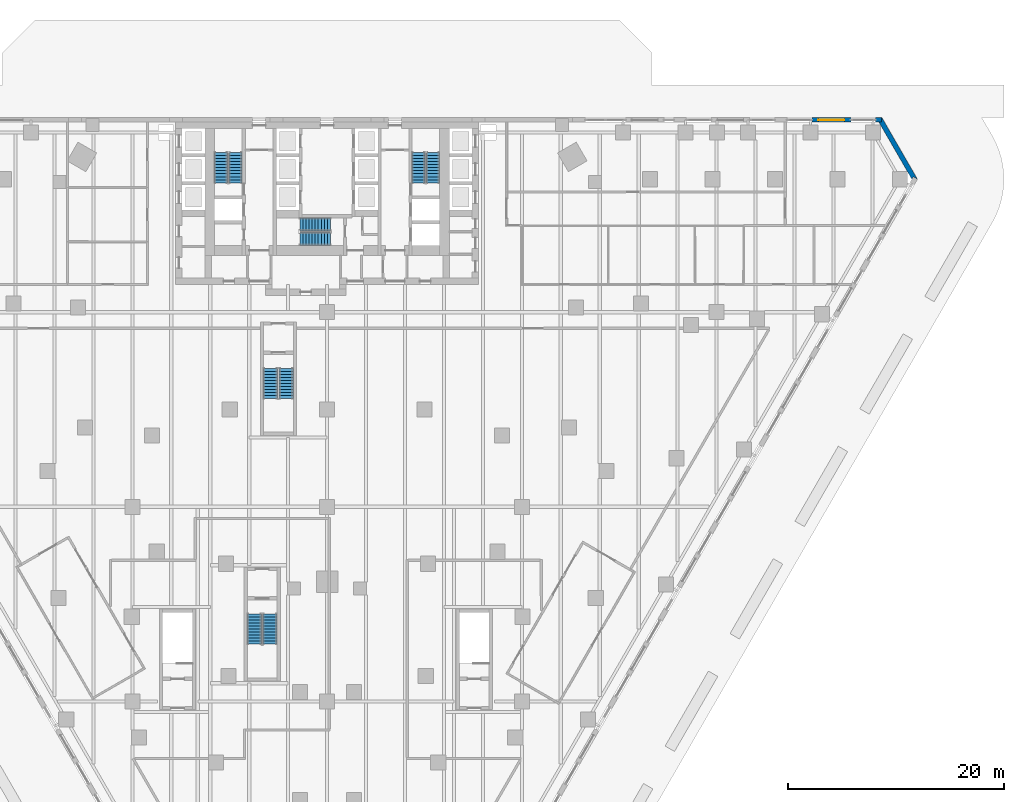
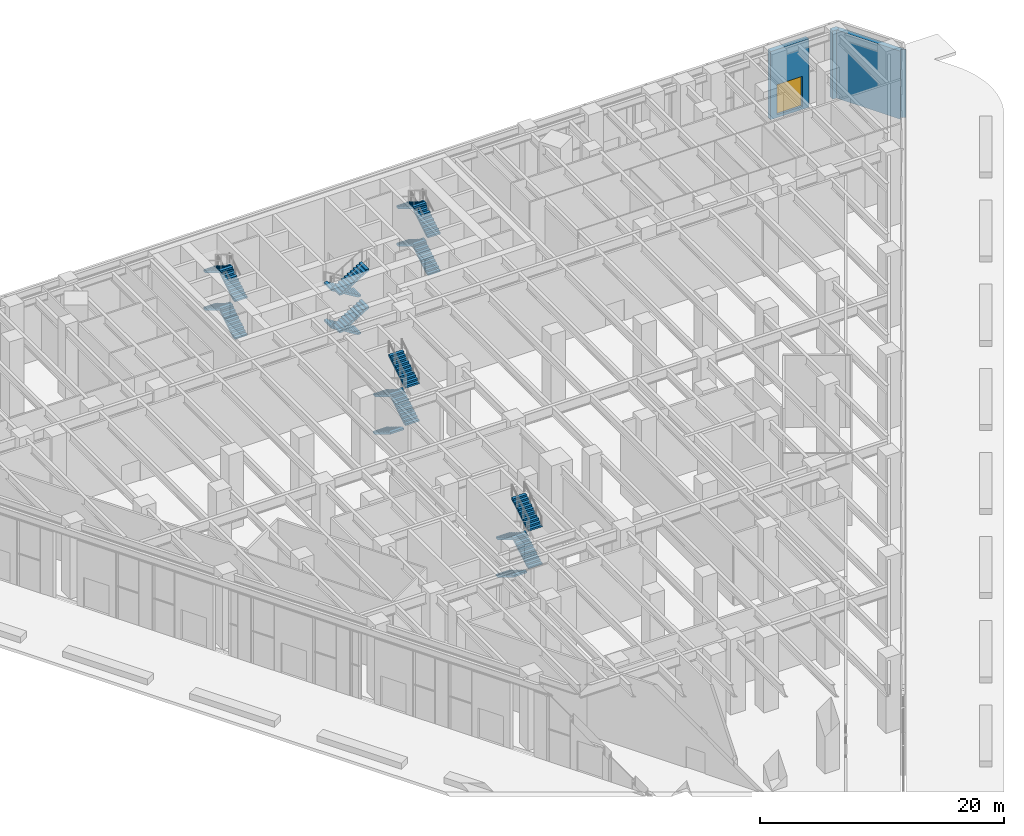
# One storey, part 33 of 37: 20 stair flights, 3 walls, 1 door, 1 opening, 5 elements without a shape of their own.
"""IFC4 building model written with IfcOpenShell, lengths in metres."""

from ifc_helpers import new_model, si_unit, direction, frame, frame_2d, origin, place, context, subcontext, project, spatial, polyline, rectangle, outline, extrude, material, layer, layer_set, type_object, element, fill, aggregate, save


model = new_model("IFC4")

# Units and contexts
model_context = context("Model", 3, precision=1e-05, world=origin(), true_north=direction((0.0, 1.0)))
body_context = subcontext(model_context, "Body", "Model", "MODEL_VIEW")
ifc_project = project(units=[si_unit("LENGTHUNIT", "METRE"), si_unit("AREAUNIT", "SQUARE_METRE"), si_unit("VOLUMEUNIT", "CUBIC_METRE"), si_unit("PLANEANGLEUNIT", "RADIAN"), si_unit("MASSUNIT", "GRAM", prefix="KILO")], contexts=[model_context])

# Site, building, storey
site_placement = place(None, origin())
site = spatial("IfcSite", under=ifc_project, at=site_placement, CompositionType="ELEMENT")
building_placement = place(site_placement, origin())
building = spatial("IfcBuilding", under=site, at=building_placement, Name="Aloe Facet Convention Tower", CompositionType="ELEMENT")
storey_placement = place(building_placement, origin())
storey = spatial("IfcBuildingStorey", under=building, at=storey_placement, Name="L00", CompositionType="ELEMENT", Elevation=0.0)

# Walls
ifc_material_1 = material(Name="Precast concrete C40/50", Category="concrete")
ifc_layer_1 = layer(ifc_material_1, 0.449951171875)
ifc_layer_set_1 = layer_set([ifc_layer_1], Name="EV-WALL-PIER")
wall_type_1 = type_object("IfcWallType", Name="EV-WALL-PIER", PredefinedType="SOLIDWALL", material=ifc_layer_set_1)
wall_1_placement = place(storey_placement, frame((0.0, 0.0, -0.300048828125)))
element("IfcWall", 1, at=wall_1_placement, inside=storey, type_object=wall_type_1, Name="EP-L00-C", PredefinedType="SOLIDWALL", context=body_context, shape_type="SweptSolid", body=[
    extrude(outline(polyline([(134.567626953125, 129.2841796875), (134.177734375, 129.50927734375), (134.0478515625, 129.2841796875), (131.0078125, 134.550048828125), (131.267578125, 134.550048828125), (131.267578125, 135.0), (134.567626953125, 129.2841796875)])), origin(), (0.0, 0.0, 1.0), 6.8125),
])
ifc_material_2 = material(Name="Precast concrete C40/50", Category="concrete")
ifc_layer_2 = layer(ifc_material_2, 0.449951171875)
ifc_layer_set_2 = layer_set([ifc_layer_2], Name="EV-WALL-STONE")
wall_type_2 = type_object("IfcWallType", Name="EV-WALL-STONE", PredefinedType="SOLIDWALL", material=ifc_layer_set_2)
wall_2_placement = place(storey_placement, frame((131.267578125, 134.77490234375, -0.300048828125), z_axis=(0.0, 0.0, 1.0), x_axis=(-1.0, 0.0, 0.0)))
element("IfcWall", 2, at=wall_2_placement, inside=storey, type_object=wall_type_2, Name="PW-L00-N01", PredefinedType="SOLIDWALL", context=body_context, shape_type="SweptSolid", body=[
    extrude(rectangle(XDim=0.60009765625, YDim=0.449951171875, at=frame_2d((0.300048828125, 0.0))), origin(), (0.0, 0.0, 1.0), 6.8125),
])

# Wall, opening, door
wall_3_placement = place(storey_placement, frame((128.40673828125, 134.77490234375, -0.300048828125), z_axis=(0.0, 0.0, 1.0), x_axis=(-1.0, 0.0, 0.0)))
wall_3 = element("IfcWall", 3, at=wall_3_placement, inside=storey, type_object=wall_type_2, Name="PW-L00-N02", PredefinedType="SOLIDWALL", context=body_context, shape_type="SweptSolid", body=[
    extrude(rectangle(XDim=3.599853515625, YDim=0.449951171875, at=frame_2d((1.7998046875, 0.0))), origin(), (0.0, 0.0, 1.0), 6.8125),
])
opening_placement = place(wall_3_placement, frame((0.60009765625, 0.0, 0.300048828125)))
opening = element("IfcOpeningElement", 4, at=opening_placement, cuts=wall_3, Name="Opening D-L00-N02", PredefinedType="OPENING", context=body_context, shape_type="SweptSolid", body=[
    extrude(rectangle(XDim=2.39990234375, YDim=3.0, at=frame_2d((1.199951171875, 1.5))), frame((0.0, 0.23486328125, 0.0), z_axis=(0.0, -1.0, 0.0), x_axis=(1.0, 0.0, 0.0)), (0.0, 0.0, 1.0), 0.469970703125),
])
ifc_material_3 = material(Name="Aluminium frame, clear double glazing", Category="aluminium")
door_type = type_object("IfcDoorType", Name="EV-DOOR-ENTRY", OperationType="DOUBLE_DOOR_SINGLE_SWING", PredefinedType="DOOR", material=ifc_material_3)
door_placement = place(opening_placement, origin())
door = element("IfcDoor", 5, at=door_placement, inside=storey, type_object=door_type, Name="D-L00-N02", OperationType="DOUBLE_DOOR_SINGLE_SWING", OverallHeight=3.0, OverallWidth=2.39990234375, PredefinedType="DOOR", context=body_context, shape_type="SweptSolid", body=[
    extrude(rectangle(XDim=2.39990234375, YDim=3.0, at=frame_2d((1.199951171875, 1.5))), frame((0.0, 0.02490234375, 0.0), z_axis=(0.0, -1.0, 0.0), x_axis=(1.0, 0.0, 0.0)), (0.0, 0.0, 1.0), 0.050048828125),
])
fill(opening, door)

# Stair, stair flights
ifc_material_4 = material(Name="Concrete C50/60", Category="concrete")
stair_type_1 = type_object("IfcStairType", Name="CR-ST-44R", PredefinedType="HALF_TURN_STAIR", material=ifc_material_4)
stair_1_placement = place(storey_placement, origin())
stair_1 = element("IfcStair", 6, at=stair_1_placement, inside=storey, type_object=stair_type_1, Name="L00 Protected exit stair ST1", PredefinedType="HALF_TURN_STAIR")
ifc_material_5 = material(Name="Concrete C50/60", Category="concrete")
stair_flight_type_1 = type_object("IfcStairFlightType", Name="CR-SFL-44R", PredefinedType="STRAIGHT", material=ifc_material_5)
stair_flight_1_placement = place(storey_placement, frame((71.550048828125, 128.949951171875, 0.0), z_axis=(0.0, 0.0, 1.0), x_axis=(0.0, 1.0, 0.0)))
stair_flight_1 = element("IfcStairFlight", 7, at=stair_flight_1_placement, type_object=stair_flight_type_1, Name="ST1 flight 1", NumberOfRisers=11, NumberOfTreads=10, PredefinedType="STRAIGHT", RiserHeight=0.170454545, TreadLength=0.28, context=body_context, shape_type="SweptSolid", body=[
    extrude(outline(polyline([(0.0, 0.0), (0.0, 0.17041015625), (0.280029296875, 0.17041015625), (0.280029296875, 0.3408203125), (0.56005859375, 0.3408203125), (0.56005859375, 0.511474609375), (0.840087890625, 0.511474609375), (0.840087890625, 0.681884765625), (1.1201171875, 0.681884765625), (1.1201171875, 0.852294921875), (1.39990234375, 0.852294921875), (1.39990234375, 1.022705078125), (1.679931640625, 1.022705078125), (1.679931640625, 1.193115234375), (1.9599609375, 1.193115234375), (1.9599609375, 1.363525390625), (2.239990234375, 1.363525390625), (2.239990234375, 1.5341796875), (2.52001953125, 1.5341796875), (2.52001953125, 1.70458984375), (2.800048828125, 1.70458984375), (2.800048828125, 1.875), (2.800048828125, 1.529052734375), (0.288330078125, 0.0), (0.0, 0.0)])), frame((0.0, 0.60009765625, 0.0), z_axis=(0.0, -1.0, 0.0), x_axis=(1.0, 0.0, 0.0)), (0.0, 0.0, 1.0), 1.199951171875),
])
stair_flight_2_placement = place(storey_placement, frame((70.199951171875, 131.75, 1.875), z_axis=(0.0, 0.0, 1.0), x_axis=(0.0, -1.0, 0.0)))
stair_flight_2 = element("IfcStairFlight", 8, at=stair_flight_2_placement, type_object=stair_flight_type_1, Name="ST1 flight 2", NumberOfRisers=11, NumberOfTreads=10, PredefinedType="STRAIGHT", RiserHeight=0.170454545, TreadLength=0.28, context=body_context, shape_type="SweptSolid", body=[
    extrude(outline(polyline([(0.0, 0.0), (0.0, 0.17041015625), (0.280029296875, 0.17041015625), (0.280029296875, 0.3408203125), (0.56005859375, 0.3408203125), (0.56005859375, 0.511474609375), (0.840087890625, 0.511474609375), (0.840087890625, 0.681884765625), (1.1201171875, 0.681884765625), (1.1201171875, 0.852294921875), (1.39990234375, 0.852294921875), (1.39990234375, 1.022705078125), (1.679931640625, 1.022705078125), (1.679931640625, 1.193115234375), (1.9599609375, 1.193115234375), (1.9599609375, 1.363525390625), (2.239990234375, 1.363525390625), (2.239990234375, 1.5341796875), (2.52001953125, 1.5341796875), (2.52001953125, 1.70458984375), (2.800048828125, 1.70458984375), (2.800048828125, 1.875), (2.800048828125, 1.529052734375), (0.288330078125, 0.0), (0.0, 0.0)])), frame((0.0, 0.60009765625, 0.0), z_axis=(0.0, -1.0, 0.0), x_axis=(1.0, 0.0, 0.0)), (0.0, 0.0, 1.0), 1.199951171875),
])
stair_flight_3_placement = place(storey_placement, frame((71.550048828125, 128.949951171875, 3.75), z_axis=(0.0, 0.0, 1.0), x_axis=(0.0, 1.0, 0.0)))
stair_flight_3 = element("IfcStairFlight", 9, at=stair_flight_3_placement, type_object=stair_flight_type_1, Name="ST1 flight 3", NumberOfRisers=11, NumberOfTreads=10, PredefinedType="STRAIGHT", RiserHeight=0.170454545, TreadLength=0.28, context=body_context, shape_type="SweptSolid", body=[
    extrude(outline(polyline([(0.0, 0.0), (0.0, 0.17041015625), (0.280029296875, 0.17041015625), (0.280029296875, 0.3408203125), (0.56005859375, 0.3408203125), (0.56005859375, 0.511474609375), (0.840087890625, 0.511474609375), (0.840087890625, 0.681884765625), (1.1201171875, 0.681884765625), (1.1201171875, 0.852294921875), (1.39990234375, 0.852294921875), (1.39990234375, 1.022705078125), (1.679931640625, 1.022705078125), (1.679931640625, 1.193115234375), (1.9599609375, 1.193115234375), (1.9599609375, 1.363525390625), (2.239990234375, 1.363525390625), (2.239990234375, 1.5341796875), (2.52001953125, 1.5341796875), (2.52001953125, 1.70458984375), (2.800048828125, 1.70458984375), (2.800048828125, 1.875), (2.800048828125, 1.529052734375), (0.288330078125, 0.0), (0.0, 0.0)])), frame((0.0, 0.60009765625, 0.0), z_axis=(0.0, -1.0, 0.0), x_axis=(1.0, 0.0, 0.0)), (0.0, 0.0, 1.0), 1.199951171875),
])
stair_flight_4_placement = place(storey_placement, frame((70.199951171875, 131.75, 5.625), z_axis=(0.0, 0.0, 1.0), x_axis=(0.0, -1.0, 0.0)))
stair_flight_4 = element("IfcStairFlight", 10, at=stair_flight_4_placement, type_object=stair_flight_type_1, Name="ST1 flight 4", NumberOfRisers=11, NumberOfTreads=10, PredefinedType="STRAIGHT", RiserHeight=0.170454545, TreadLength=0.28, context=body_context, shape_type="SweptSolid", body=[
    extrude(outline(polyline([(0.0, 0.0), (0.0, 0.17041015625), (0.280029296875, 0.17041015625), (0.280029296875, 0.3408203125), (0.56005859375, 0.3408203125), (0.56005859375, 0.511474609375), (0.840087890625, 0.511474609375), (0.840087890625, 0.681884765625), (1.1201171875, 0.681884765625), (1.1201171875, 0.852294921875), (1.39990234375, 0.852294921875), (1.39990234375, 1.022705078125), (1.679931640625, 1.022705078125), (1.679931640625, 1.193115234375), (1.9599609375, 1.193115234375), (1.9599609375, 1.363525390625), (2.239990234375, 1.363525390625), (2.239990234375, 1.5341796875), (2.52001953125, 1.5341796875), (2.52001953125, 1.70458984375), (2.800048828125, 1.70458984375), (2.800048828125, 1.875), (2.800048828125, 1.529052734375), (0.288330078125, 0.0), (0.0, 0.0)])), frame((0.0, 0.60009765625, 0.0), z_axis=(0.0, -1.0, 0.0), x_axis=(1.0, 0.0, 0.0)), (0.0, 0.0, 1.0), 1.199951171875),
])
aggregate(stair_1, [stair_flight_1, stair_flight_2, stair_flight_3, stair_flight_4])

stair_2_placement = place(storey_placement, origin())
stair_2 = element("IfcStair", 11, at=stair_2_placement, inside=storey, type_object=stair_type_1, Name="L00 Protected exit stair ST2", PredefinedType="HALF_TURN_STAIR")
stair_flight_5_placement = place(storey_placement, frame((89.800048828125, 128.949951171875, 0.0), z_axis=(0.0, 0.0, 1.0), x_axis=(0.0, 1.0, 0.0)))
stair_flight_5 = element("IfcStairFlight", 12, at=stair_flight_5_placement, type_object=stair_flight_type_1, Name="ST2 flight 1", NumberOfRisers=11, NumberOfTreads=10, PredefinedType="STRAIGHT", RiserHeight=0.170454545, TreadLength=0.28, context=body_context, shape_type="SweptSolid", body=[
    extrude(outline(polyline([(0.0, 0.0), (0.0, 0.17041015625), (0.280029296875, 0.17041015625), (0.280029296875, 0.3408203125), (0.56005859375, 0.3408203125), (0.56005859375, 0.511474609375), (0.840087890625, 0.511474609375), (0.840087890625, 0.681884765625), (1.1201171875, 0.681884765625), (1.1201171875, 0.852294921875), (1.39990234375, 0.852294921875), (1.39990234375, 1.022705078125), (1.679931640625, 1.022705078125), (1.679931640625, 1.193115234375), (1.9599609375, 1.193115234375), (1.9599609375, 1.363525390625), (2.239990234375, 1.363525390625), (2.239990234375, 1.5341796875), (2.52001953125, 1.5341796875), (2.52001953125, 1.70458984375), (2.800048828125, 1.70458984375), (2.800048828125, 1.875), (2.800048828125, 1.529052734375), (0.288330078125, 0.0), (0.0, 0.0)])), frame((0.0, 0.60009765625, 0.0), z_axis=(0.0, -1.0, 0.0), x_axis=(1.0, 0.0, 0.0)), (0.0, 0.0, 1.0), 1.199951171875),
])
stair_flight_6_placement = place(storey_placement, frame((88.449951171875, 131.75, 1.875), z_axis=(0.0, 0.0, 1.0), x_axis=(0.0, -1.0, 0.0)))
stair_flight_6 = element("IfcStairFlight", 13, at=stair_flight_6_placement, type_object=stair_flight_type_1, Name="ST2 flight 2", NumberOfRisers=11, NumberOfTreads=10, PredefinedType="STRAIGHT", RiserHeight=0.170454545, TreadLength=0.28, context=body_context, shape_type="SweptSolid", body=[
    extrude(outline(polyline([(0.0, 0.0), (0.0, 0.17041015625), (0.280029296875, 0.17041015625), (0.280029296875, 0.3408203125), (0.56005859375, 0.3408203125), (0.56005859375, 0.511474609375), (0.840087890625, 0.511474609375), (0.840087890625, 0.681884765625), (1.1201171875, 0.681884765625), (1.1201171875, 0.852294921875), (1.39990234375, 0.852294921875), (1.39990234375, 1.022705078125), (1.679931640625, 1.022705078125), (1.679931640625, 1.193115234375), (1.9599609375, 1.193115234375), (1.9599609375, 1.363525390625), (2.239990234375, 1.363525390625), (2.239990234375, 1.5341796875), (2.52001953125, 1.5341796875), (2.52001953125, 1.70458984375), (2.800048828125, 1.70458984375), (2.800048828125, 1.875), (2.800048828125, 1.529052734375), (0.288330078125, 0.0), (0.0, 0.0)])), frame((0.0, 0.60009765625, 0.0), z_axis=(0.0, -1.0, 0.0), x_axis=(1.0, 0.0, 0.0)), (0.0, 0.0, 1.0), 1.199951171875),
])
stair_flight_7_placement = place(storey_placement, frame((89.800048828125, 128.949951171875, 3.75), z_axis=(0.0, 0.0, 1.0), x_axis=(0.0, 1.0, 0.0)))
stair_flight_7 = element("IfcStairFlight", 14, at=stair_flight_7_placement, type_object=stair_flight_type_1, Name="ST2 flight 3", NumberOfRisers=11, NumberOfTreads=10, PredefinedType="STRAIGHT", RiserHeight=0.170454545, TreadLength=0.28, context=body_context, shape_type="SweptSolid", body=[
    extrude(outline(polyline([(0.0, 0.0), (0.0, 0.17041015625), (0.280029296875, 0.17041015625), (0.280029296875, 0.3408203125), (0.56005859375, 0.3408203125), (0.56005859375, 0.511474609375), (0.840087890625, 0.511474609375), (0.840087890625, 0.681884765625), (1.1201171875, 0.681884765625), (1.1201171875, 0.852294921875), (1.39990234375, 0.852294921875), (1.39990234375, 1.022705078125), (1.679931640625, 1.022705078125), (1.679931640625, 1.193115234375), (1.9599609375, 1.193115234375), (1.9599609375, 1.363525390625), (2.239990234375, 1.363525390625), (2.239990234375, 1.5341796875), (2.52001953125, 1.5341796875), (2.52001953125, 1.70458984375), (2.800048828125, 1.70458984375), (2.800048828125, 1.875), (2.800048828125, 1.529052734375), (0.288330078125, 0.0), (0.0, 0.0)])), frame((0.0, 0.60009765625, 0.0), z_axis=(0.0, -1.0, 0.0), x_axis=(1.0, 0.0, 0.0)), (0.0, 0.0, 1.0), 1.199951171875),
])
stair_flight_8_placement = place(storey_placement, frame((88.449951171875, 131.75, 5.625), z_axis=(0.0, 0.0, 1.0), x_axis=(0.0, -1.0, 0.0)))
stair_flight_8 = element("IfcStairFlight", 15, at=stair_flight_8_placement, type_object=stair_flight_type_1, Name="ST2 flight 4", NumberOfRisers=11, NumberOfTreads=10, PredefinedType="STRAIGHT", RiserHeight=0.170454545, TreadLength=0.28, context=body_context, shape_type="SweptSolid", body=[
    extrude(outline(polyline([(0.0, 0.0), (0.0, 0.17041015625), (0.280029296875, 0.17041015625), (0.280029296875, 0.3408203125), (0.56005859375, 0.3408203125), (0.56005859375, 0.511474609375), (0.840087890625, 0.511474609375), (0.840087890625, 0.681884765625), (1.1201171875, 0.681884765625), (1.1201171875, 0.852294921875), (1.39990234375, 0.852294921875), (1.39990234375, 1.022705078125), (1.679931640625, 1.022705078125), (1.679931640625, 1.193115234375), (1.9599609375, 1.193115234375), (1.9599609375, 1.363525390625), (2.239990234375, 1.363525390625), (2.239990234375, 1.5341796875), (2.52001953125, 1.5341796875), (2.52001953125, 1.70458984375), (2.800048828125, 1.70458984375), (2.800048828125, 1.875), (2.800048828125, 1.529052734375), (0.288330078125, 0.0), (0.0, 0.0)])), frame((0.0, 0.60009765625, 0.0), z_axis=(0.0, -1.0, 0.0), x_axis=(1.0, 0.0, 0.0)), (0.0, 0.0, 1.0), 1.199951171875),
])
aggregate(stair_2, [stair_flight_5, stair_flight_6, stair_flight_7, stair_flight_8])

stair_3_placement = place(storey_placement, origin())
stair_3 = element("IfcStair", 16, at=stair_3_placement, inside=storey, type_object=stair_type_1, Name="L00 Protected exit stair ST3", PredefinedType="HALF_TURN_STAIR")
stair_flight_9_placement = place(storey_placement, frame((80.300048828125, 125.10009765625, 0.0), z_axis=(0.0, 0.0, 1.0), x_axis=(-1.0, 0.0, 0.0)))
stair_flight_9 = element("IfcStairFlight", 17, at=stair_flight_9_placement, type_object=stair_flight_type_1, Name="ST3 flight 1", NumberOfRisers=11, NumberOfTreads=10, PredefinedType="STRAIGHT", RiserHeight=0.170454545, TreadLength=0.28, context=body_context, shape_type="SweptSolid", body=[
    extrude(outline(polyline([(0.0, 0.0), (0.0, 0.17041015625), (0.280029296875, 0.17041015625), (0.280029296875, 0.3408203125), (0.56005859375, 0.3408203125), (0.56005859375, 0.511474609375), (0.840087890625, 0.511474609375), (0.840087890625, 0.681884765625), (1.1201171875, 0.681884765625), (1.1201171875, 0.852294921875), (1.39990234375, 0.852294921875), (1.39990234375, 1.022705078125), (1.679931640625, 1.022705078125), (1.679931640625, 1.193115234375), (1.9599609375, 1.193115234375), (1.9599609375, 1.363525390625), (2.239990234375, 1.363525390625), (2.239990234375, 1.5341796875), (2.52001953125, 1.5341796875), (2.52001953125, 1.70458984375), (2.800048828125, 1.70458984375), (2.800048828125, 1.875), (2.800048828125, 1.529052734375), (0.288330078125, 0.0), (0.0, 0.0)])), frame((0.0, 0.60009765625, 0.0), z_axis=(0.0, -1.0, 0.0), x_axis=(1.0, 0.0, 0.0)), (0.0, 0.0, 1.0), 1.199951171875),
])
stair_flight_10_placement = place(storey_placement, frame((77.5, 123.75, 1.875), z_axis=(0.0, 0.0, 1.0), x_axis=(1.0, 0.0, 0.0)))
stair_flight_10 = element("IfcStairFlight", 18, at=stair_flight_10_placement, type_object=stair_flight_type_1, Name="ST3 flight 2", NumberOfRisers=11, NumberOfTreads=10, PredefinedType="STRAIGHT", RiserHeight=0.170454545, TreadLength=0.28, context=body_context, shape_type="SweptSolid", body=[
    extrude(outline(polyline([(0.0, 0.0), (0.0, 0.17041015625), (0.280029296875, 0.17041015625), (0.280029296875, 0.3408203125), (0.56005859375, 0.3408203125), (0.56005859375, 0.511474609375), (0.840087890625, 0.511474609375), (0.840087890625, 0.681884765625), (1.1201171875, 0.681884765625), (1.1201171875, 0.852294921875), (1.39990234375, 0.852294921875), (1.39990234375, 1.022705078125), (1.679931640625, 1.022705078125), (1.679931640625, 1.193115234375), (1.9599609375, 1.193115234375), (1.9599609375, 1.363525390625), (2.239990234375, 1.363525390625), (2.239990234375, 1.5341796875), (2.52001953125, 1.5341796875), (2.52001953125, 1.70458984375), (2.800048828125, 1.70458984375), (2.800048828125, 1.875), (2.800048828125, 1.529052734375), (0.288330078125, 0.0), (0.0, 0.0)])), frame((0.0, 0.60009765625, 0.0), z_axis=(0.0, -1.0, 0.0), x_axis=(1.0, 0.0, 0.0)), (0.0, 0.0, 1.0), 1.199951171875),
])
stair_flight_11_placement = place(storey_placement, frame((80.300048828125, 125.10009765625, 3.75), z_axis=(0.0, 0.0, 1.0), x_axis=(-1.0, 0.0, 0.0)))
stair_flight_11 = element("IfcStairFlight", 19, at=stair_flight_11_placement, type_object=stair_flight_type_1, Name="ST3 flight 3", NumberOfRisers=11, NumberOfTreads=10, PredefinedType="STRAIGHT", RiserHeight=0.170454545, TreadLength=0.28, context=body_context, shape_type="SweptSolid", body=[
    extrude(outline(polyline([(0.0, 0.0), (0.0, 0.17041015625), (0.280029296875, 0.17041015625), (0.280029296875, 0.3408203125), (0.56005859375, 0.3408203125), (0.56005859375, 0.511474609375), (0.840087890625, 0.511474609375), (0.840087890625, 0.681884765625), (1.1201171875, 0.681884765625), (1.1201171875, 0.852294921875), (1.39990234375, 0.852294921875), (1.39990234375, 1.022705078125), (1.679931640625, 1.022705078125), (1.679931640625, 1.193115234375), (1.9599609375, 1.193115234375), (1.9599609375, 1.363525390625), (2.239990234375, 1.363525390625), (2.239990234375, 1.5341796875), (2.52001953125, 1.5341796875), (2.52001953125, 1.70458984375), (2.800048828125, 1.70458984375), (2.800048828125, 1.875), (2.800048828125, 1.529052734375), (0.288330078125, 0.0), (0.0, 0.0)])), frame((0.0, 0.60009765625, 0.0), z_axis=(0.0, -1.0, 0.0), x_axis=(1.0, 0.0, 0.0)), (0.0, 0.0, 1.0), 1.199951171875),
])
stair_flight_12_placement = place(storey_placement, frame((77.5, 123.75, 5.625), z_axis=(0.0, 0.0, 1.0), x_axis=(1.0, 0.0, 0.0)))
stair_flight_12 = element("IfcStairFlight", 20, at=stair_flight_12_placement, type_object=stair_flight_type_1, Name="ST3 flight 4", NumberOfRisers=11, NumberOfTreads=10, PredefinedType="STRAIGHT", RiserHeight=0.170454545, TreadLength=0.28, context=body_context, shape_type="SweptSolid", body=[
    extrude(outline(polyline([(0.0, 0.0), (0.0, 0.17041015625), (0.280029296875, 0.17041015625), (0.280029296875, 0.3408203125), (0.56005859375, 0.3408203125), (0.56005859375, 0.511474609375), (0.840087890625, 0.511474609375), (0.840087890625, 0.681884765625), (1.1201171875, 0.681884765625), (1.1201171875, 0.852294921875), (1.39990234375, 0.852294921875), (1.39990234375, 1.022705078125), (1.679931640625, 1.022705078125), (1.679931640625, 1.193115234375), (1.9599609375, 1.193115234375), (1.9599609375, 1.363525390625), (2.239990234375, 1.363525390625), (2.239990234375, 1.5341796875), (2.52001953125, 1.5341796875), (2.52001953125, 1.70458984375), (2.800048828125, 1.70458984375), (2.800048828125, 1.875), (2.800048828125, 1.529052734375), (0.288330078125, 0.0), (0.0, 0.0)])), frame((0.0, 0.60009765625, 0.0), z_axis=(0.0, -1.0, 0.0), x_axis=(1.0, 0.0, 0.0)), (0.0, 0.0, 1.0), 1.199951171875),
])
aggregate(stair_3, [stair_flight_9, stair_flight_10, stair_flight_11, stair_flight_12])

ifc_material_6 = material(Name="Concrete C50/60", Category="concrete")
stair_type_2 = type_object("IfcStairType", Name="CR-ST-44R-W1300", PredefinedType="HALF_TURN_STAIR", material=ifc_material_6)
stair_4_placement = place(storey_placement, origin())
stair_4 = element("IfcStair", 21, at=stair_4_placement, inside=storey, type_object=stair_type_2, Name="L00 Protected exit stair ST4", PredefinedType="HALF_TURN_STAIR")
ifc_material_7 = material(Name="Concrete C50/60", Category="concrete")
stair_flight_type_2 = type_object("IfcStairFlightType", Name="CR-SFL-44R-W1300", PredefinedType="STRAIGHT", material=ifc_material_7)
stair_flight_13_placement = place(storey_placement, frame((73.27490234375, 89.10009765625, 0.0), z_axis=(0.0, 0.0, 1.0), x_axis=(0.0, -1.0, 0.0)))
stair_flight_13 = element("IfcStairFlight", 22, at=stair_flight_13_placement, type_object=stair_flight_type_2, Name="ST4 flight 1", NumberOfRisers=11, NumberOfTreads=10, PredefinedType="STRAIGHT", RiserHeight=0.170454545, TreadLength=0.28, context=body_context, shape_type="SweptSolid", body=[
    extrude(outline(polyline([(0.0, 0.0), (0.0, 0.17041015625), (0.280029296875, 0.17041015625), (0.280029296875, 0.3408203125), (0.56005859375, 0.3408203125), (0.56005859375, 0.511474609375), (0.840087890625, 0.511474609375), (0.840087890625, 0.681884765625), (1.1201171875, 0.681884765625), (1.1201171875, 0.852294921875), (1.39990234375, 0.852294921875), (1.39990234375, 1.022705078125), (1.679931640625, 1.022705078125), (1.679931640625, 1.193115234375), (1.9599609375, 1.193115234375), (1.9599609375, 1.363525390625), (2.239990234375, 1.363525390625), (2.239990234375, 1.5341796875), (2.52001953125, 1.5341796875), (2.52001953125, 1.70458984375), (2.800048828125, 1.70458984375), (2.800048828125, 1.875), (2.800048828125, 1.529052734375), (0.288330078125, 0.0), (0.0, 0.0)])), frame((0.0, 0.64990234375, 0.0), z_axis=(0.0, -1.0, 0.0), x_axis=(1.0, 0.0, 0.0)), (0.0, 0.0, 1.0), 1.300048828125),
])
stair_flight_14_placement = place(storey_placement, frame((74.72509765625, 86.300048828125, 1.875), z_axis=(0.0, 0.0, 1.0), x_axis=(0.0, 1.0, 0.0)))
stair_flight_14 = element("IfcStairFlight", 23, at=stair_flight_14_placement, type_object=stair_flight_type_2, Name="ST4 flight 2", NumberOfRisers=11, NumberOfTreads=10, PredefinedType="STRAIGHT", RiserHeight=0.170454545, TreadLength=0.28, context=body_context, shape_type="SweptSolid", body=[
    extrude(outline(polyline([(0.0, 0.0), (0.0, 0.17041015625), (0.280029296875, 0.17041015625), (0.280029296875, 0.3408203125), (0.56005859375, 0.3408203125), (0.56005859375, 0.511474609375), (0.840087890625, 0.511474609375), (0.840087890625, 0.681884765625), (1.1201171875, 0.681884765625), (1.1201171875, 0.852294921875), (1.39990234375, 0.852294921875), (1.39990234375, 1.022705078125), (1.679931640625, 1.022705078125), (1.679931640625, 1.193115234375), (1.9599609375, 1.193115234375), (1.9599609375, 1.363525390625), (2.239990234375, 1.363525390625), (2.239990234375, 1.5341796875), (2.52001953125, 1.5341796875), (2.52001953125, 1.70458984375), (2.800048828125, 1.70458984375), (2.800048828125, 1.875), (2.800048828125, 1.529052734375), (0.288330078125, 0.0), (0.0, 0.0)])), frame((0.0, 0.64990234375, 0.0), z_axis=(0.0, -1.0, 0.0), x_axis=(1.0, 0.0, 0.0)), (0.0, 0.0, 1.0), 1.300048828125),
])
stair_flight_15_placement = place(storey_placement, frame((73.27490234375, 89.10009765625, 3.75), z_axis=(0.0, 0.0, 1.0), x_axis=(0.0, -1.0, 0.0)))
stair_flight_15 = element("IfcStairFlight", 24, at=stair_flight_15_placement, type_object=stair_flight_type_2, Name="ST4 flight 3", NumberOfRisers=11, NumberOfTreads=10, PredefinedType="STRAIGHT", RiserHeight=0.170454545, TreadLength=0.28, context=body_context, shape_type="SweptSolid", body=[
    extrude(outline(polyline([(0.0, 0.0), (0.0, 0.17041015625), (0.280029296875, 0.17041015625), (0.280029296875, 0.3408203125), (0.56005859375, 0.3408203125), (0.56005859375, 0.511474609375), (0.840087890625, 0.511474609375), (0.840087890625, 0.681884765625), (1.1201171875, 0.681884765625), (1.1201171875, 0.852294921875), (1.39990234375, 0.852294921875), (1.39990234375, 1.022705078125), (1.679931640625, 1.022705078125), (1.679931640625, 1.193115234375), (1.9599609375, 1.193115234375), (1.9599609375, 1.363525390625), (2.239990234375, 1.363525390625), (2.239990234375, 1.5341796875), (2.52001953125, 1.5341796875), (2.52001953125, 1.70458984375), (2.800048828125, 1.70458984375), (2.800048828125, 1.875), (2.800048828125, 1.529052734375), (0.288330078125, 0.0), (0.0, 0.0)])), frame((0.0, 0.64990234375, 0.0), z_axis=(0.0, -1.0, 0.0), x_axis=(1.0, 0.0, 0.0)), (0.0, 0.0, 1.0), 1.300048828125),
])
stair_flight_16_placement = place(storey_placement, frame((74.72509765625, 86.300048828125, 5.625), z_axis=(0.0, 0.0, 1.0), x_axis=(0.0, 1.0, 0.0)))
stair_flight_16 = element("IfcStairFlight", 25, at=stair_flight_16_placement, type_object=stair_flight_type_2, Name="ST4 flight 4", NumberOfRisers=11, NumberOfTreads=10, PredefinedType="STRAIGHT", RiserHeight=0.170454545, TreadLength=0.28, context=body_context, shape_type="SweptSolid", body=[
    extrude(outline(polyline([(0.0, 0.0), (0.0, 0.17041015625), (0.280029296875, 0.17041015625), (0.280029296875, 0.3408203125), (0.56005859375, 0.3408203125), (0.56005859375, 0.511474609375), (0.840087890625, 0.511474609375), (0.840087890625, 0.681884765625), (1.1201171875, 0.681884765625), (1.1201171875, 0.852294921875), (1.39990234375, 0.852294921875), (1.39990234375, 1.022705078125), (1.679931640625, 1.022705078125), (1.679931640625, 1.193115234375), (1.9599609375, 1.193115234375), (1.9599609375, 1.363525390625), (2.239990234375, 1.363525390625), (2.239990234375, 1.5341796875), (2.52001953125, 1.5341796875), (2.52001953125, 1.70458984375), (2.800048828125, 1.70458984375), (2.800048828125, 1.875), (2.800048828125, 1.529052734375), (0.288330078125, 0.0), (0.0, 0.0)])), frame((0.0, 0.64990234375, 0.0), z_axis=(0.0, -1.0, 0.0), x_axis=(1.0, 0.0, 0.0)), (0.0, 0.0, 1.0), 1.300048828125),
])
aggregate(stair_4, [stair_flight_13, stair_flight_14, stair_flight_15, stair_flight_16])

stair_5_placement = place(storey_placement, origin())
stair_5 = element("IfcStair", 26, at=stair_5_placement, inside=storey, type_object=stair_type_2, Name="L00 Protected exit stair ST5", PredefinedType="HALF_TURN_STAIR")
stair_flight_17_placement = place(storey_placement, frame((74.77490234375, 111.800048828125, 0.0), z_axis=(0.0, 0.0, 1.0), x_axis=(0.0, -1.0, 0.0)))
stair_flight_17 = element("IfcStairFlight", 27, at=stair_flight_17_placement, type_object=stair_flight_type_2, Name="ST5 flight 1", NumberOfRisers=11, NumberOfTreads=10, PredefinedType="STRAIGHT", RiserHeight=0.170454545, TreadLength=0.28, context=body_context, shape_type="SweptSolid", body=[
    extrude(outline(polyline([(0.0, 0.0), (0.0, 0.17041015625), (0.280029296875, 0.17041015625), (0.280029296875, 0.3408203125), (0.56005859375, 0.3408203125), (0.56005859375, 0.511474609375), (0.840087890625, 0.511474609375), (0.840087890625, 0.681884765625), (1.1201171875, 0.681884765625), (1.1201171875, 0.852294921875), (1.39990234375, 0.852294921875), (1.39990234375, 1.022705078125), (1.679931640625, 1.022705078125), (1.679931640625, 1.193115234375), (1.9599609375, 1.193115234375), (1.9599609375, 1.363525390625), (2.239990234375, 1.363525390625), (2.239990234375, 1.5341796875), (2.52001953125, 1.5341796875), (2.52001953125, 1.70458984375), (2.800048828125, 1.70458984375), (2.800048828125, 1.875), (2.800048828125, 1.529052734375), (0.288330078125, 0.0), (0.0, 0.0)])), frame((0.0, 0.64990234375, 0.0), z_axis=(0.0, -1.0, 0.0), x_axis=(1.0, 0.0, 0.0)), (0.0, 0.0, 1.0), 1.300048828125),
])
stair_flight_18_placement = place(storey_placement, frame((76.22509765625, 109.0, 1.875), z_axis=(0.0, 0.0, 1.0), x_axis=(0.0, 1.0, 0.0)))
stair_flight_18 = element("IfcStairFlight", 28, at=stair_flight_18_placement, type_object=stair_flight_type_2, Name="ST5 flight 2", NumberOfRisers=11, NumberOfTreads=10, PredefinedType="STRAIGHT", RiserHeight=0.170454545, TreadLength=0.28, context=body_context, shape_type="SweptSolid", body=[
    extrude(outline(polyline([(0.0, 0.0), (0.0, 0.17041015625), (0.280029296875, 0.17041015625), (0.280029296875, 0.3408203125), (0.56005859375, 0.3408203125), (0.56005859375, 0.511474609375), (0.840087890625, 0.511474609375), (0.840087890625, 0.681884765625), (1.1201171875, 0.681884765625), (1.1201171875, 0.852294921875), (1.39990234375, 0.852294921875), (1.39990234375, 1.022705078125), (1.679931640625, 1.022705078125), (1.679931640625, 1.193115234375), (1.9599609375, 1.193115234375), (1.9599609375, 1.363525390625), (2.239990234375, 1.363525390625), (2.239990234375, 1.5341796875), (2.52001953125, 1.5341796875), (2.52001953125, 1.70458984375), (2.800048828125, 1.70458984375), (2.800048828125, 1.875), (2.800048828125, 1.529052734375), (0.288330078125, 0.0), (0.0, 0.0)])), frame((0.0, 0.64990234375, 0.0), z_axis=(0.0, -1.0, 0.0), x_axis=(1.0, 0.0, 0.0)), (0.0, 0.0, 1.0), 1.300048828125),
])
stair_flight_19_placement = place(storey_placement, frame((74.77490234375, 111.800048828125, 3.75), z_axis=(0.0, 0.0, 1.0), x_axis=(0.0, -1.0, 0.0)))
stair_flight_19 = element("IfcStairFlight", 29, at=stair_flight_19_placement, type_object=stair_flight_type_2, Name="ST5 flight 3", NumberOfRisers=11, NumberOfTreads=10, PredefinedType="STRAIGHT", RiserHeight=0.170454545, TreadLength=0.28, context=body_context, shape_type="SweptSolid", body=[
    extrude(outline(polyline([(0.0, 0.0), (0.0, 0.17041015625), (0.280029296875, 0.17041015625), (0.280029296875, 0.3408203125), (0.56005859375, 0.3408203125), (0.56005859375, 0.511474609375), (0.840087890625, 0.511474609375), (0.840087890625, 0.681884765625), (1.1201171875, 0.681884765625), (1.1201171875, 0.852294921875), (1.39990234375, 0.852294921875), (1.39990234375, 1.022705078125), (1.679931640625, 1.022705078125), (1.679931640625, 1.193115234375), (1.9599609375, 1.193115234375), (1.9599609375, 1.363525390625), (2.239990234375, 1.363525390625), (2.239990234375, 1.5341796875), (2.52001953125, 1.5341796875), (2.52001953125, 1.70458984375), (2.800048828125, 1.70458984375), (2.800048828125, 1.875), (2.800048828125, 1.529052734375), (0.288330078125, 0.0), (0.0, 0.0)])), frame((0.0, 0.64990234375, 0.0), z_axis=(0.0, -1.0, 0.0), x_axis=(1.0, 0.0, 0.0)), (0.0, 0.0, 1.0), 1.300048828125),
])
stair_flight_20_placement = place(storey_placement, frame((76.22509765625, 109.0, 5.625), z_axis=(0.0, 0.0, 1.0), x_axis=(0.0, 1.0, 0.0)))
stair_flight_20 = element("IfcStairFlight", 30, at=stair_flight_20_placement, type_object=stair_flight_type_2, Name="ST5 flight 4", NumberOfRisers=11, NumberOfTreads=10, PredefinedType="STRAIGHT", RiserHeight=0.170454545, TreadLength=0.28, context=body_context, shape_type="SweptSolid", body=[
    extrude(outline(polyline([(0.0, 0.0), (0.0, 0.17041015625), (0.280029296875, 0.17041015625), (0.280029296875, 0.3408203125), (0.56005859375, 0.3408203125), (0.56005859375, 0.511474609375), (0.840087890625, 0.511474609375), (0.840087890625, 0.681884765625), (1.1201171875, 0.681884765625), (1.1201171875, 0.852294921875), (1.39990234375, 0.852294921875), (1.39990234375, 1.022705078125), (1.679931640625, 1.022705078125), (1.679931640625, 1.193115234375), (1.9599609375, 1.193115234375), (1.9599609375, 1.363525390625), (2.239990234375, 1.363525390625), (2.239990234375, 1.5341796875), (2.52001953125, 1.5341796875), (2.52001953125, 1.70458984375), (2.800048828125, 1.70458984375), (2.800048828125, 1.875), (2.800048828125, 1.529052734375), (0.288330078125, 0.0), (0.0, 0.0)])), frame((0.0, 0.64990234375, 0.0), z_axis=(0.0, -1.0, 0.0), x_axis=(1.0, 0.0, 0.0)), (0.0, 0.0, 1.0), 1.300048828125),
])
aggregate(stair_5, [stair_flight_17, stair_flight_18, stair_flight_19, stair_flight_20])

save(model, "model.ifc")
